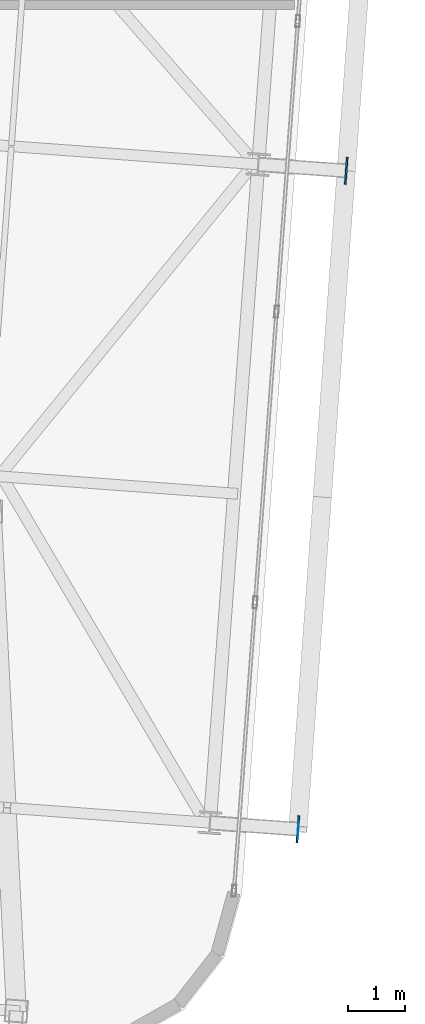
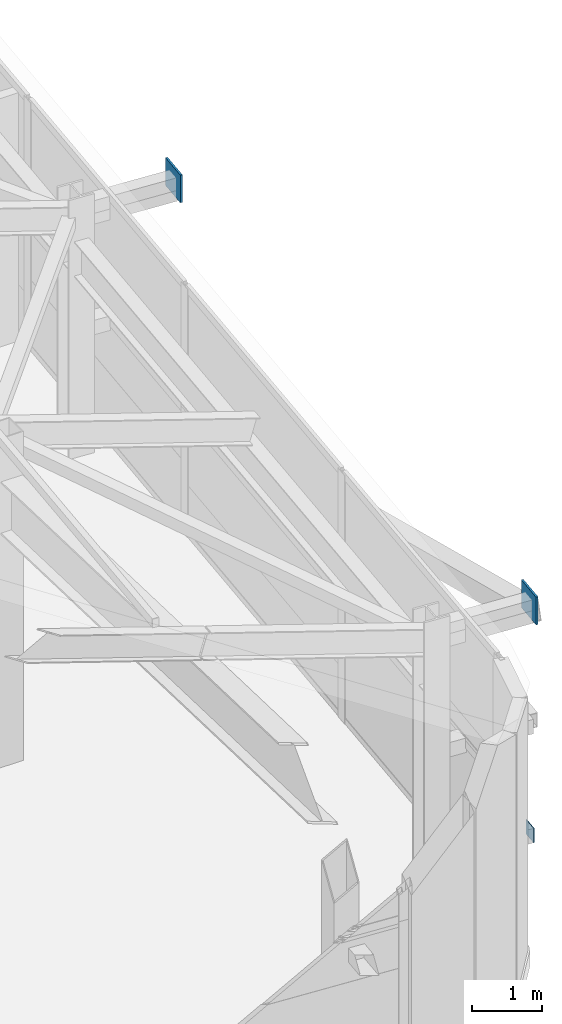
# One storey, part 48 of 56: 3 plates.
"""IFC4 building model written with IfcOpenShell, lengths in metres."""

from ifc_helpers import new_model, si_unit, direction, frame, origin, origin_2d, place, context, subcontext, project, spatial, rectangle, extrude, source, transform, mapped, material, layer, layer_set, type_object, element, save


model = new_model("IFC4")

# Units and contexts
model_context = context("Model", 3, precision=1e-05, world=origin(), true_north=direction((0.0, 1.0)))
body_context = subcontext(model_context, "Body", "Model", "MODEL_VIEW")
ifc_project = project(units=[si_unit("LENGTHUNIT", "METRE"), si_unit("AREAUNIT", "SQUARE_METRE"), si_unit("VOLUMEUNIT", "CUBIC_METRE"), si_unit("PLANEANGLEUNIT", "RADIAN"), si_unit("MASSUNIT", "GRAM", prefix="KILO")], contexts=[model_context])

# Site, building, storey
site_placement = place(None, origin())
site = spatial("IfcSite", under=ifc_project, at=site_placement, CompositionType="ELEMENT")
building_placement = place(site_placement, origin())
building = spatial("IfcBuilding", under=site, at=building_placement, Name="Taldren Reach Tower", CompositionType="ELEMENT")
storey_placement = place(building_placement, frame((0.0, 0.0, 253.050048828125)))
storey = spatial("IfcBuildingStorey", under=building, at=storey_placement, Name="L77", CompositionType="ELEMENT", Elevation=253.050048828125)

# Plates
ifc_material_1 = material(Name="Steel Gr 350 (C350L0)", Category="steel")
ifc_layer_1 = layer(ifc_material_1, 0.011962890625)
ifc_layer_set_1 = layer_set([ifc_layer_1], Name="Steel Gr 350 (C350L0)")
plate_type_1 = type_object("IfcPlateType", Name="PL-CAP-250", PredefinedType="SHEET", material=ifc_layer_set_1)
shared_shape_1 = source(origin(), body_context, "Body", "SweptSolid", [
    extrude(rectangle(XDim=0.011962890625, YDim=0.25, at=origin_2d()), origin(), (0.0, 0.0, 1.0), 0.25),
])
plate_placement = place(storey_placement, frame((57.3935546875, 6.9169921875, 0.094970703125), z_axis=(0.0, 0.0, 1.0), x_axis=(0.997314477224, -0.073238197128, 0.0)))
element("IfcPlate", 1, at=plate_placement, inside=storey, type_object=plate_type_1, Name="Tie strut end cap plate B5-E1 L77", PredefinedType="SHEET", context=body_context, shape_type="MappedRepresentation", body=[
    mapped(shared_shape_1, transform((0.0, 0.0, 0.0), scale=1.0)),
])
ifc_material_2 = material(Name="Steel Gr 450 (C450L0)", Category="steel")
ifc_layer_2 = layer(ifc_material_2, 0.031982421875)
ifc_layer_set_2 = layer_set([ifc_layer_2], Name="Steel Gr 450 (C450L0)")
plate_type_2 = type_object("IfcPlateType", Name="PL-GUSSET-32", PredefinedType="SHEET", material=ifc_layer_set_2)
shared_shape_2 = source(origin(), body_context, "Body", "SweptSolid", [
    extrude(rectangle(XDim=0.47998046875, YDim=0.031982421875, at=origin_2d()), origin(), (0.0, 0.0, 1.0), 0.47998046875),
])
for number, where, z_axis, x_axis, name in (
    (2, (57.3876953125, 6.91748046875, 3.9462890625), (0.0, 0.0, 1.0), (0.073238197128, 0.997314477224, 0.0), "Exoskeleton star-node gusset plate B5-E1 L77"),
    (3, (58.237060546875, 18.486328125, 3.9462890625), (0.0, 0.0, 1.0), (0.073238197128, 0.997314477224, 0.0), "Exoskeleton star-node gusset plate B5-E2 L77"),
):
    element("IfcPlate", number, at=place(storey_placement, frame(where, z_axis=z_axis, x_axis=x_axis)), inside=storey, type_object=plate_type_2, Name=name, PredefinedType="SHEET", context=body_context, shape_type="MappedRepresentation", body=[
        mapped(shared_shape_2, transform((0.0, 0.0, 0.0), scale=1.0)),
    ])

save(model, "model.ifc")
